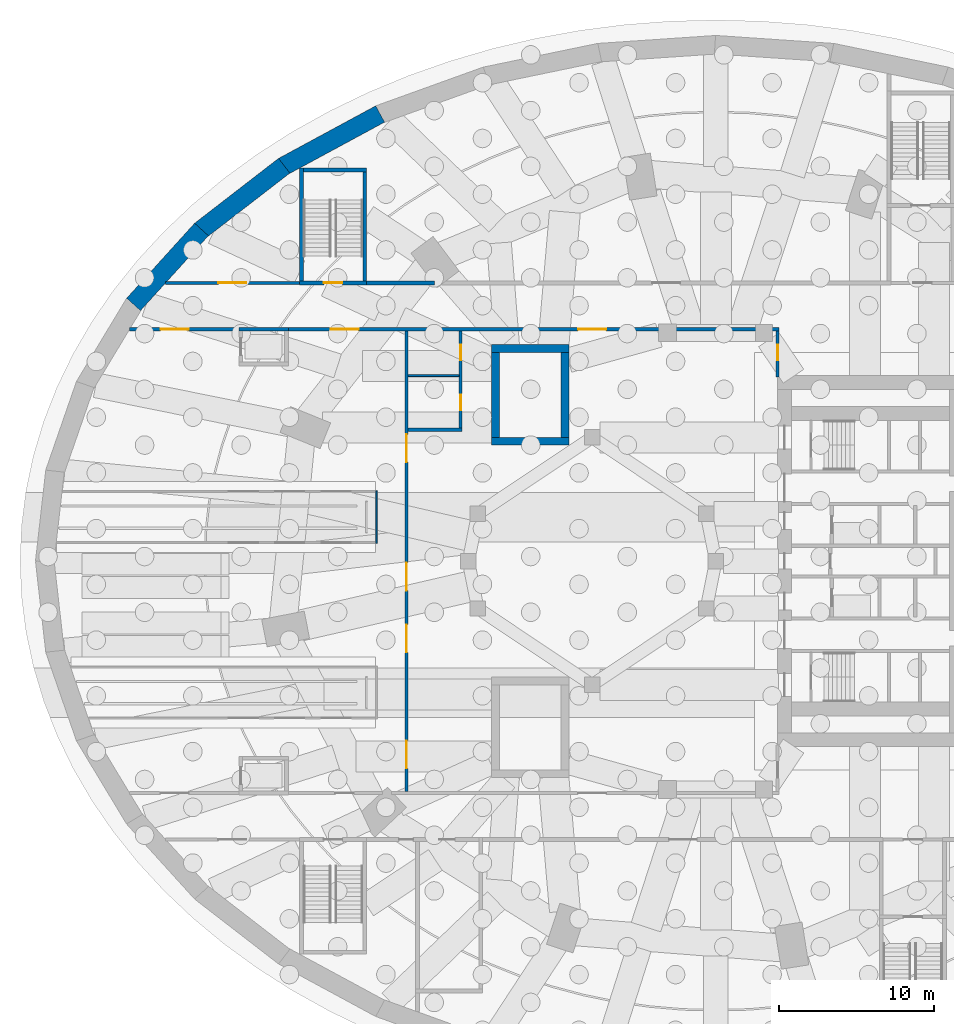
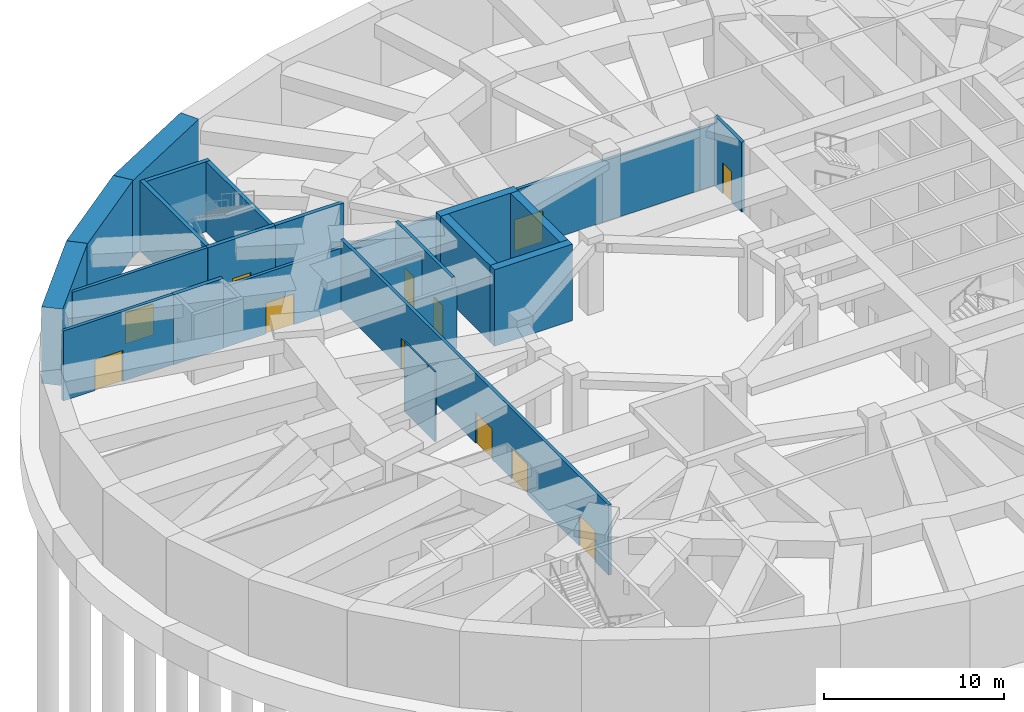
# One storey, part 9 of 18: 22 walls, 12 doors, 12 openings.
"""IFC4 building model written with IfcOpenShell, lengths in metres."""

from ifc_helpers import new_model, si_unit, direction, frame, frame_2d, origin, place, context, subcontext, project, spatial, rectangle, extrude, material, layer, layer_set, type_object, element, fill, save


model = new_model("IFC4")

# Units and contexts
model_context = context("Model", 3, precision=1e-05, world=origin(), true_north=direction((0.0, 1.0)))
body_context = subcontext(model_context, "Body", "Model", "MODEL_VIEW")
ifc_project = project(units=[si_unit("LENGTHUNIT", "METRE"), si_unit("AREAUNIT", "SQUARE_METRE"), si_unit("VOLUMEUNIT", "CUBIC_METRE"), si_unit("PLANEANGLEUNIT", "RADIAN"), si_unit("MASSUNIT", "GRAM", prefix="KILO")], contexts=[model_context])

# Site, building, storey
site_placement = place(None, origin())
site = spatial("IfcSite", under=ifc_project, at=site_placement, CompositionType="ELEMENT")
building_placement = place(site_placement, origin())
building = spatial("IfcBuilding", under=site, at=building_placement, Name="Taillehof Tower", CompositionType="ELEMENT")
storey_placement = place(building_placement, frame((0.0, 0.0, -10.39990234375)))
storey = spatial("IfcBuildingStorey", under=building, at=storey_placement, Name="B2", CompositionType="ELEMENT", Elevation=-10.39990234375)

# Wall
ifc_material_1 = material(Name="Calcium silicate blockwork", Category="masonry")
ifc_layer_1 = layer(ifc_material_1, 0.199951171875)
ifc_layer_set_1 = layer_set([ifc_layer_1], Name="Compartment wall EI 60 200 mm")
wall_type_1 = type_object("IfcWallType", Name="Compartment wall EI 60 200 mm", PredefinedType="PARTITIONING", material=ifc_layer_set_1)
wall_1_placement = place(storey_placement, frame((-19.89990234375, 8.5, 0.0), z_axis=(0.0, 0.0, 1.0), x_axis=(1.0, 0.0, 0.0)))
element("IfcWall", 1, at=wall_1_placement, inside=storey, type_object=wall_type_1, Name="Wall B2-10 / B2-12", PredefinedType="PARTITIONING", context=body_context, shape_type="SweptSolid", body=[
    extrude(rectangle(XDim=3.5, YDim=0.199951171875, at=frame_2d((1.75, 0.0))), origin(), (0.0, 0.0, 1.0), 4.199951171875),
])

# Wall, opening, door
wall_2_placement = place(storey_placement, frame((-37.914794921875, 15.0, 0.0), z_axis=(0.0, 0.0, 1.0), x_axis=(1.0, 0.0, 0.0)))
wall_2 = element("IfcWall", 2, at=wall_2_placement, inside=storey, type_object=wall_type_1, Name="Wall B2-11 / B2-13", PredefinedType="PARTITIONING", context=body_context, shape_type="SweptSolid", body=[
    extrude(rectangle(XDim=7.064697265625, YDim=0.199951171875, at=frame_2d((3.5322265625, 0.0))), origin(), (0.0, 0.0, 1.0), 4.75),
])
opening_1_placement = place(wall_2_placement, frame((2.0146484375, 0.0, 0.0)))
opening_1 = element("IfcOpeningElement", 3, at=opening_1_placement, cuts=wall_2, Name="Opening DB267", PredefinedType="OPENING", context=body_context, shape_type="SweptSolid", body=[
    extrude(rectangle(XDim=1.800048828125, YDim=2.10009765625, at=frame_2d((0.89990234375, 1.050048828125))), frame((0.0, 0.10986328125, 0.0), z_axis=(0.0, -1.0, 0.0), x_axis=(1.0, 0.0, 0.0)), (0.0, 0.0, 1.0), 0.219970703125),
])
ifc_material_2 = material(Name="Hollow metal door set")
door_type_1 = type_object("IfcDoorType", Name="Double door 1800 x 2100 FD60S", OperationType="DOUBLE_DOOR_SINGLE_SWING", PredefinedType="DOOR", material=ifc_material_2)
door_1_placement = place(opening_1_placement, origin())
door_1 = element("IfcDoor", 4, at=door_1_placement, inside=storey, type_object=door_type_1, Name="Door DB267", OperationType="DOUBLE_DOOR_SINGLE_SWING", OverallHeight=2.10009765625, OverallWidth=1.800048828125, PredefinedType="DOOR", context=body_context, shape_type="SweptSolid", body=[
    extrude(rectangle(XDim=1.800048828125, YDim=2.10009765625, at=frame_2d((0.89990234375, 1.050048828125))), frame((0.0, 0.02490234375, 0.0), z_axis=(0.0, -1.0, 0.0), x_axis=(1.0, 0.0, 0.0)), (0.0, 0.0, 1.0), 0.050048828125),
])
fill(opening_1, door_1)

# Wall, openings, doors
wall_3_placement = place(storey_placement, frame((-27.64990234375, 15.0, 0.0), z_axis=(0.0, 0.0, 1.0), x_axis=(1.0, 0.0, 0.0)))
wall_3 = element("IfcWall", 5, at=wall_3_placement, inside=storey, type_object=wall_type_1, Name="Wall B2-11 / B2-13", PredefinedType="PARTITIONING", context=body_context, shape_type="SweptSolid", body=[
    extrude(rectangle(XDim=31.75, YDim=0.199951171875, at=frame_2d((15.875, 0.0))), origin(), (0.0, 0.0, 1.0), 4.14990234375),
])
opening_2_placement = place(wall_3_placement, frame((2.75, 0.0, 0.0)))
opening_2 = element("IfcOpeningElement", 6, at=opening_2_placement, cuts=wall_3, Name="Opening DB268", PredefinedType="OPENING", context=body_context, shape_type="SweptSolid", body=[
    extrude(rectangle(XDim=1.800048828125, YDim=2.10009765625, at=frame_2d((0.89990234375, 1.050048828125))), frame((0.0, 0.10986328125, 0.0), z_axis=(0.0, -1.0, 0.0), x_axis=(1.0, 0.0, 0.0)), (0.0, 0.0, 1.0), 0.219970703125),
])
opening_3_placement = place(wall_3_placement, frame((18.75, 0.0, 0.0)))
opening_3 = element("IfcOpeningElement", 7, at=opening_3_placement, cuts=wall_3, Name="Opening DB269", PredefinedType="OPENING", context=body_context, shape_type="SweptSolid", body=[
    extrude(rectangle(XDim=1.800048828125, YDim=2.10009765625, at=frame_2d((0.89990234375, 1.050048828125))), frame((0.0, 0.10986328125, 0.0), z_axis=(0.0, -1.0, 0.0), x_axis=(1.0, 0.0, 0.0)), (0.0, 0.0, 1.0), 0.219970703125),
])
door_2_placement = place(opening_2_placement, origin())
door_2 = element("IfcDoor", 8, at=door_2_placement, inside=storey, type_object=door_type_1, Name="Door DB268", OperationType="DOUBLE_DOOR_SINGLE_SWING", OverallHeight=2.10009765625, OverallWidth=1.800048828125, PredefinedType="DOOR", context=body_context, shape_type="SweptSolid", body=[
    extrude(rectangle(XDim=1.800048828125, YDim=2.10009765625, at=frame_2d((0.89990234375, 1.050048828125))), frame((0.0, 0.02490234375, 0.0), z_axis=(0.0, -1.0, 0.0), x_axis=(1.0, 0.0, 0.0)), (0.0, 0.0, 1.0), 0.050048828125),
])
fill(opening_2, door_2)
door_3_placement = place(opening_3_placement, origin())
door_3 = element("IfcDoor", 9, at=door_3_placement, inside=storey, type_object=door_type_1, Name="Door DB269", OperationType="DOUBLE_DOOR_SINGLE_SWING", OverallHeight=2.10009765625, OverallWidth=1.800048828125, PredefinedType="DOOR", context=body_context, shape_type="SweptSolid", body=[
    extrude(rectangle(XDim=1.800048828125, YDim=2.10009765625, at=frame_2d((0.89990234375, 1.050048828125))), frame((0.0, 0.02490234375, 0.0), z_axis=(0.0, -1.0, 0.0), x_axis=(1.0, 0.0, 0.0)), (0.0, 0.0, 1.0), 0.050048828125),
])
fill(opening_3, door_3)

# Wall, opening, door
wall_4_placement = place(storey_placement, frame((-35.60546875, 18.0, 0.0), z_axis=(0.0, 0.0, 1.0), x_axis=(1.0, 0.0, 0.0)))
wall_4 = element("IfcWall", 10, at=wall_4_placement, inside=storey, type_object=wall_type_1, Name="Wall B2-13 / B2-15", PredefinedType="PARTITIONING", context=body_context, shape_type="SweptSolid", body=[
    extrude(rectangle(XDim=8.680419921875, YDim=0.199951171875, at=frame_2d((4.34033203125, 0.0))), origin(), (0.0, 0.0, 1.0), 4.75),
])
opening_4_placement = place(wall_4_placement, frame((3.4404296875, 0.0, 0.0)))
opening_4 = element("IfcOpeningElement", 11, at=opening_4_placement, cuts=wall_4, Name="Opening DB270", PredefinedType="OPENING", context=body_context, shape_type="SweptSolid", body=[
    extrude(rectangle(XDim=1.800048828125, YDim=2.10009765625, at=frame_2d((0.89990234375, 1.050048828125))), frame((0.0, 0.10986328125, 0.0), z_axis=(0.0, -1.0, 0.0), x_axis=(1.0, 0.0, 0.0)), (0.0, 0.0, 1.0), 0.219970703125),
])
door_4_placement = place(opening_4_placement, origin())
door_4 = element("IfcDoor", 12, at=door_4_placement, inside=storey, type_object=door_type_1, Name="Door DB270", OperationType="DOUBLE_DOOR_SINGLE_SWING", OverallHeight=2.10009765625, OverallWidth=1.800048828125, PredefinedType="DOOR", context=body_context, shape_type="SweptSolid", body=[
    extrude(rectangle(XDim=1.800048828125, YDim=2.10009765625, at=frame_2d((0.89990234375, 1.050048828125))), frame((0.0, 0.02490234375, 0.0), z_axis=(0.0, -1.0, 0.0), x_axis=(1.0, 0.0, 0.0)), (0.0, 0.0, 1.0), 0.050048828125),
])
fill(opening_4, door_4)

# Wall, openings, doors
wall_5_placement = place(storey_placement, frame((-20.0, -14.89990234375, 0.0), z_axis=(0.0, 0.0, 1.0), x_axis=(0.0, 1.0, 0.0)))
wall_5 = element("IfcWall", 13, at=wall_5_placement, inside=storey, type_object=wall_type_1, Name="Wall B2-11 / B2-12", PredefinedType="PARTITIONING", context=body_context, shape_type="SweptSolid", body=[
    extrude(rectangle(XDim=29.7998046875, YDim=0.199951171875, at=frame_2d((14.89990234375, 0.0))), origin(), (0.0, 0.0, 1.0), 4.75),
])
opening_5_placement = place(wall_5_placement, frame((1.5, 0.0, 0.0)))
opening_5 = element("IfcOpeningElement", 14, at=opening_5_placement, cuts=wall_5, Name="Opening DB257", PredefinedType="OPENING", context=body_context, shape_type="SweptSolid", body=[
    extrude(rectangle(XDim=1.800048828125, YDim=2.10009765625, at=frame_2d((0.89990234375, 1.050048828125))), frame((0.0, 0.10986328125, 0.0), z_axis=(0.0, -1.0, 0.0), x_axis=(1.0, 0.0, 0.0)), (0.0, 0.0, 1.0), 0.219970703125),
])
opening_6_placement = place(wall_5_placement, frame((9.0, 0.0, 0.0)))
opening_6 = element("IfcOpeningElement", 15, at=opening_6_placement, cuts=wall_5, Name="Opening DB259", PredefinedType="OPENING", context=body_context, shape_type="SweptSolid", body=[
    extrude(rectangle(XDim=1.800048828125, YDim=2.10009765625, at=frame_2d((0.89990234375, 1.050048828125))), frame((0.0, 0.10986328125, 0.0), z_axis=(0.0, -1.0, 0.0), x_axis=(1.0, 0.0, 0.0)), (0.0, 0.0, 1.0), 0.219970703125),
])
opening_7_placement = place(wall_5_placement, frame((13.0, 0.0, 0.0)))
opening_7 = element("IfcOpeningElement", 16, at=opening_7_placement, cuts=wall_5, Name="Opening DB260", PredefinedType="OPENING", context=body_context, shape_type="SweptSolid", body=[
    extrude(rectangle(XDim=1.800048828125, YDim=2.10009765625, at=frame_2d((0.89990234375, 1.050048828125))), frame((0.0, 0.10986328125, 0.0), z_axis=(0.0, -1.0, 0.0), x_axis=(1.0, 0.0, 0.0)), (0.0, 0.0, 1.0), 0.219970703125),
])
opening_8_placement = place(wall_5_placement, frame((21.300048828125, 0.0, 0.0)))
opening_8 = element("IfcOpeningElement", 17, at=opening_8_placement, cuts=wall_5, Name="Opening DB261", PredefinedType="OPENING", context=body_context, shape_type="SweptSolid", body=[
    extrude(rectangle(XDim=1.800048828125, YDim=2.10009765625, at=frame_2d((0.89990234375, 1.050048828125))), frame((0.0, 0.10986328125, 0.0), z_axis=(0.0, -1.0, 0.0), x_axis=(1.0, 0.0, 0.0)), (0.0, 0.0, 1.0), 0.219970703125),
])
door_5_placement = place(opening_5_placement, origin())
door_5 = element("IfcDoor", 18, at=door_5_placement, inside=storey, type_object=door_type_1, Name="Door DB257", OperationType="DOUBLE_DOOR_SINGLE_SWING", OverallHeight=2.10009765625, OverallWidth=1.800048828125, PredefinedType="DOOR", context=body_context, shape_type="SweptSolid", body=[
    extrude(rectangle(XDim=1.800048828125, YDim=2.10009765625, at=frame_2d((0.89990234375, 1.050048828125))), frame((0.0, 0.02490234375, 0.0), z_axis=(0.0, -1.0, 0.0), x_axis=(1.0, 0.0, 0.0)), (0.0, 0.0, 1.0), 0.050048828125),
])
fill(opening_5, door_5)
door_6_placement = place(opening_6_placement, origin())
door_6 = element("IfcDoor", 19, at=door_6_placement, inside=storey, type_object=door_type_1, Name="Door DB259", OperationType="DOUBLE_DOOR_SINGLE_SWING", OverallHeight=2.10009765625, OverallWidth=1.800048828125, PredefinedType="DOOR", context=body_context, shape_type="SweptSolid", body=[
    extrude(rectangle(XDim=1.800048828125, YDim=2.10009765625, at=frame_2d((0.89990234375, 1.050048828125))), frame((0.0, 0.02490234375, 0.0), z_axis=(0.0, -1.0, 0.0), x_axis=(1.0, 0.0, 0.0)), (0.0, 0.0, 1.0), 0.050048828125),
])
fill(opening_6, door_6)
door_7_placement = place(opening_7_placement, origin())
door_7 = element("IfcDoor", 20, at=door_7_placement, inside=storey, type_object=door_type_1, Name="Door DB260", OperationType="DOUBLE_DOOR_SINGLE_SWING", OverallHeight=2.10009765625, OverallWidth=1.800048828125, PredefinedType="DOOR", context=body_context, shape_type="SweptSolid", body=[
    extrude(rectangle(XDim=1.800048828125, YDim=2.10009765625, at=frame_2d((0.89990234375, 1.050048828125))), frame((0.0, 0.02490234375, 0.0), z_axis=(0.0, -1.0, 0.0), x_axis=(1.0, 0.0, 0.0)), (0.0, 0.0, 1.0), 0.050048828125),
])
fill(opening_7, door_7)
door_8_placement = place(opening_8_placement, origin())
door_8 = element("IfcDoor", 21, at=door_8_placement, inside=storey, type_object=door_type_1, Name="Door DB261", OperationType="DOUBLE_DOOR_SINGLE_SWING", OverallHeight=2.10009765625, OverallWidth=1.800048828125, PredefinedType="DOOR", context=body_context, shape_type="SweptSolid", body=[
    extrude(rectangle(XDim=1.800048828125, YDim=2.10009765625, at=frame_2d((0.89990234375, 1.050048828125))), frame((0.0, 0.02490234375, 0.0), z_axis=(0.0, -1.0, 0.0), x_axis=(1.0, 0.0, 0.0)), (0.0, 0.0, 1.0), 0.050048828125),
])
fill(opening_8, door_8)

wall_6_placement = place(storey_placement, frame((-16.5, 8.60009765625, 0.0), z_axis=(0.0, 0.0, 1.0), x_axis=(0.0, 1.0, 0.0)))
wall_6 = element("IfcWall", 22, at=wall_6_placement, inside=storey, type_object=wall_type_1, Name="Wall B2-10 / B2-12", PredefinedType="PARTITIONING", context=body_context, shape_type="SweptSolid", body=[
    extrude(rectangle(XDim=6.2998046875, YDim=0.199951171875, at=frame_2d((3.14990234375, 0.0))), origin(), (0.0, 0.0, 1.0), 4.75),
])
opening_9_placement = place(wall_6_placement, frame((4.39990234375, 0.0, 0.0)))
opening_9 = element("IfcOpeningElement", 23, at=opening_9_placement, cuts=wall_6, Name="Opening DB264", PredefinedType="OPENING", context=body_context, shape_type="SweptSolid", body=[
    extrude(rectangle(XDim=1.0, YDim=2.10009765625, at=frame_2d((0.5, 1.050048828125))), frame((0.0, 0.10986328125, 0.0), z_axis=(0.0, -1.0, 0.0), x_axis=(1.0, 0.0, 0.0)), (0.0, 0.0, 1.0), 0.219970703125),
])
opening_10_placement = place(wall_6_placement, frame((1.14990234375, 0.0, 0.0)))
opening_10 = element("IfcOpeningElement", 24, at=opening_10_placement, cuts=wall_6, Name="Opening DB262", PredefinedType="OPENING", context=body_context, shape_type="SweptSolid", body=[
    extrude(rectangle(XDim=1.0, YDim=2.10009765625, at=frame_2d((0.5, 1.050048828125))), frame((0.0, 0.10986328125, 0.0), z_axis=(0.0, -1.0, 0.0), x_axis=(1.0, 0.0, 0.0)), (0.0, 0.0, 1.0), 0.219970703125),
])
ifc_material_3 = material(Name="Hollow metal door set")
door_type_2 = type_object("IfcDoorType", Name="Single door 1000 x 2100 FD60S", OperationType="SINGLE_SWING_LEFT", PredefinedType="DOOR", material=ifc_material_3)
door_9_placement = place(opening_9_placement, origin())
door_9 = element("IfcDoor", 25, at=door_9_placement, inside=storey, type_object=door_type_2, Name="Door DB264", OperationType="SINGLE_SWING_LEFT", OverallHeight=2.10009765625, OverallWidth=1.0, PredefinedType="DOOR", context=body_context, shape_type="SweptSolid", body=[
    extrude(rectangle(XDim=1.0, YDim=2.10009765625, at=frame_2d((0.5, 1.050048828125))), frame((0.0, 0.02490234375, 0.0), z_axis=(0.0, -1.0, 0.0), x_axis=(1.0, 0.0, 0.0)), (0.0, 0.0, 1.0), 0.050048828125),
])
fill(opening_9, door_9)
door_10_placement = place(opening_10_placement, origin())
door_10 = element("IfcDoor", 26, at=door_10_placement, inside=storey, type_object=door_type_2, Name="Door DB262", OperationType="SINGLE_SWING_LEFT", OverallHeight=2.10009765625, OverallWidth=1.0, PredefinedType="DOOR", context=body_context, shape_type="SweptSolid", body=[
    extrude(rectangle(XDim=1.0, YDim=2.10009765625, at=frame_2d((0.5, 1.050048828125))), frame((0.0, 0.02490234375, 0.0), z_axis=(0.0, -1.0, 0.0), x_axis=(1.0, 0.0, 0.0)), (0.0, 0.0, 1.0), 0.050048828125),
])
fill(opening_10, door_10)

# Wall, opening, door
wall_7_placement = place(storey_placement, frame((4.0, 11.89990234375, 0.0), z_axis=(0.0, 0.0, 1.0), x_axis=(0.0, 1.0, 0.0)))
wall_7 = element("IfcWall", 27, at=wall_7_placement, inside=storey, type_object=wall_type_1, Name="Wall B2-12 / B2-13", PredefinedType="PARTITIONING", context=body_context, shape_type="SweptSolid", body=[
    extrude(rectangle(XDim=3.0, YDim=0.199951171875, at=frame_2d((1.5, 0.0))), origin(), (0.0, 0.0, 1.0), 4.75),
])
opening_11_placement = place(wall_7_placement, frame((1.10009765625, 0.0, 0.0)))
opening_11 = element("IfcOpeningElement", 28, at=opening_11_placement, cuts=wall_7, Name="Opening DB265", PredefinedType="OPENING", context=body_context, shape_type="SweptSolid", body=[
    extrude(rectangle(XDim=1.0, YDim=2.10009765625, at=frame_2d((0.5, 1.050048828125))), frame((0.0, 0.10986328125, 0.0), z_axis=(0.0, -1.0, 0.0), x_axis=(1.0, 0.0, 0.0)), (0.0, 0.0, 1.0), 0.219970703125),
])
door_11_placement = place(opening_11_placement, origin())
door_11 = element("IfcDoor", 29, at=door_11_placement, inside=storey, type_object=door_type_2, Name="Door DB265", OperationType="SINGLE_SWING_RIGHT", OverallHeight=2.10009765625, OverallWidth=1.0, PredefinedType="DOOR", context=body_context, shape_type="SweptSolid", body=[
    extrude(rectangle(XDim=1.0, YDim=2.10009765625, at=frame_2d((0.5, 1.050048828125))), frame((0.0, 0.02490234375, 0.0), z_axis=(0.0, -1.0, 0.0), x_axis=(1.0, 0.0, 0.0)), (0.0, 0.0, 1.0), 0.050048828125),
])
fill(opening_11, door_11)

# Walls
ifc_material_4 = material(Name="Concrete C35/45", Category="concrete")
ifc_layer_2 = layer(ifc_material_4, 1.199951171875)
ifc_layer_set_2 = layer_set([ifc_layer_2], Name="Diaphragm wall 1200")
wall_type_2 = type_object("IfcWallType", Name="Diaphragm wall 1200", PredefinedType="USERDEFINED", material=ifc_layer_set_2)
wall_8_placement = place(storey_placement, frame((-21.7080078125, 28.920654296875, 0.0), z_axis=(0.0, 0.0, 1.0), x_axis=(-0.879519330959, -0.475863159394, 0.0)))
element("IfcWall", 30, at=wall_8_placement, inside=storey, type_object=wall_type_2, Name="Diaphragm wall DW13", ObjectType="Retaining wall", PredefinedType="USERDEFINED", context=body_context, shape_type="SweptSolid", body=[
    extrude(rectangle(XDim=7.154541015625, YDim=1.199951171875, at=frame_2d((3.5771484375, 0.0))), origin(), (0.0, 0.0, 1.0), 5.199951171875),
])
wall_9_placement = place(storey_placement, frame((-27.912841796875, 25.572998046875, 0.0), z_axis=(0.0, 0.0, 1.0), x_axis=(-0.791286567459, -0.611445474396, 0.0)))
element("IfcWall", 31, at=wall_9_placement, inside=storey, type_object=wall_type_2, Name="Diaphragm wall DW14", ObjectType="Retaining wall", PredefinedType="USERDEFINED", context=body_context, shape_type="SweptSolid", body=[
    extrude(rectangle(XDim=6.85693359375, YDim=1.199951171875, at=frame_2d((3.428466796875, 0.0))), origin(), (0.0, 0.0, 1.0), 5.199951171875),
])
wall_10_placement = place(storey_placement, frame((-33.26171875, 21.451416015625, 0.0), z_axis=(0.0, 0.0, 1.0), x_axis=(-0.671487423502, -0.741015951299, 0.0)))
element("IfcWall", 32, at=wall_10_placement, inside=storey, type_object=wall_type_2, Name="Diaphragm wall DW15", ObjectType="Retaining wall", PredefinedType="USERDEFINED", context=body_context, shape_type="SweptSolid", body=[
    extrude(rectangle(XDim=6.545166015625, YDim=1.199951171875, at=frame_2d((3.2724609375, 0.0))), origin(), (0.0, 0.0, 1.0), 5.199951171875),
])
ifc_material_5 = material(Name="Calcium silicate blockwork", Category="masonry")
ifc_layer_3 = layer(ifc_material_5, 0.25)
ifc_layer_set_3 = layer_set([ifc_layer_3], Name="Fire-resisting wall EI 120 250 mm")
wall_type_3 = type_object("IfcWallType", Name="Fire-resisting wall EI 120 250 mm", PredefinedType="PARTITIONING", material=ifc_layer_set_3)
wall_11_placement = place(storey_placement, frame((-22.574951171875, 18.0, 0.0), z_axis=(0.0, 0.0, 1.0), x_axis=(1.0, 0.0, 0.0)))
element("IfcWall", 33, at=wall_11_placement, inside=storey, type_object=wall_type_3, Name="Wall B2-13 / B2-16", PredefinedType="PARTITIONING", context=body_context, shape_type="SweptSolid", body=[
    extrude(rectangle(XDim=4.396484375, YDim=0.25, at=frame_2d((2.1982421875, 0.0))), origin(), (0.0, 0.0, 1.0), 4.75),
])
ifc_material_6 = material(Name="Gypsum board partition on steel studs", Category="steel")
ifc_layer_4 = layer(ifc_material_6, 0.125)
ifc_layer_set_4 = layer_set([ifc_layer_4], Name="Partition wall EI 30 125 mm")
wall_type_4 = type_object("IfcWallType", Name="Partition wall EI 30 125 mm", PredefinedType="PARTITIONING", material=ifc_layer_set_4)
wall_12_placement = place(storey_placement, frame((-19.89990234375, 12.0, 0.0), z_axis=(0.0, 0.0, 1.0), x_axis=(1.0, 0.0, 0.0)))
element("IfcWall", 34, at=wall_12_placement, inside=storey, type_object=wall_type_4, Name="Wall B2-09 / B2-10", PredefinedType="PARTITIONING", context=body_context, shape_type="SweptSolid", body=[
    extrude(rectangle(XDim=3.2998046875, YDim=0.125, at=frame_2d((1.64990234375, 0.0))), origin(), (0.0, 0.0, 1.0), 4.199951171875),
])
ifc_material_7 = material(Name="Laminated glass in steel frame", Category="steel")
ifc_layer_5 = layer(ifc_material_7, 0.10009765625)
ifc_layer_set_5 = layer_set([ifc_layer_5], Name="Platform screen wall 100")
wall_type_5 = type_object("IfcWallType", Name="Platform screen wall 100", PredefinedType="PARTITIONING", material=ifc_layer_set_5)
wall_13_placement = place(storey_placement, frame((-21.949951171875, 1.14990234375, 0.0), z_axis=(0.0, 0.0, 1.0), x_axis=(0.0, 1.0, 0.0)))
element("IfcWall", 35, at=wall_13_placement, inside=storey, type_object=wall_type_5, Name="North platform screen end", PredefinedType="PARTITIONING", context=body_context, shape_type="SweptSolid", body=[
    extrude(rectangle(XDim=3.400146484375, YDim=0.10009765625, at=frame_2d((1.7001953125, 0.0))), origin(), (0.0, 0.0, 1.0), 4.75),
])
ifc_material_8 = material(Name="Calcium silicate blockwork", Category="masonry")
ifc_layer_6 = layer(ifc_material_8, 0.25)
ifc_layer_set_6 = layer_set([ifc_layer_6], Name="Shaft wall EI 120 250 mm")
wall_type_6 = type_object("IfcWallType", Name="Shaft wall EI 120 250 mm", PredefinedType="SHEAR", material=ifc_layer_set_6)
wall_14_placement = place(storey_placement, frame((-30.85009765625, 15.0, 0.0), z_axis=(0.0, 0.0, 1.0), x_axis=(1.0, 0.0, 0.0)))
element("IfcWall", 36, at=wall_14_placement, inside=storey, type_object=wall_type_6, Name="Wall B2-07 / B2-13", PredefinedType="SHEAR", context=body_context, shape_type="SweptSolid", body=[
    extrude(rectangle(XDim=3.2001953125, YDim=0.25, at=frame_2d((1.60009765625, 0.0))), origin(), (0.0, 0.0, 1.0), 4.75),
])
ifc_material_9 = material(Name="Concrete C60/75", Category="concrete")
ifc_layer_7 = layer(ifc_material_9, 0.5)
ifc_layer_set_7 = layer_set([ifc_layer_7], Name="Stair enclosure base wall 500")
wall_type_7 = type_object("IfcWallType", Name="Stair enclosure base wall 500", PredefinedType="SHEAR", material=ifc_layer_set_7)
wall_15_placement = place(storey_placement, frame((-14.5, 7.75, 0.0), z_axis=(0.0, 0.0, 1.0), x_axis=(1.0, 0.0, 0.0)))
element("IfcWall", 37, at=wall_15_placement, inside=storey, type_object=wall_type_7, Name="Enclosure base wall S3-1", PredefinedType="SHEAR", context=body_context, shape_type="SweptSolid", body=[
    extrude(rectangle(XDim=5.0, YDim=0.5, at=frame_2d((2.5, 0.0))), origin(), (0.0, 0.0, 1.0), 5.199951171875),
])
wall_16_placement = place(storey_placement, frame((-9.75, 7.5, 0.0), z_axis=(0.0, 0.0, 1.0), x_axis=(0.0, 1.0, 0.0)))
element("IfcWall", 38, at=wall_16_placement, inside=storey, type_object=wall_type_7, Name="Enclosure base wall S3-2", PredefinedType="SHEAR", context=body_context, shape_type="SweptSolid", body=[
    extrude(rectangle(XDim=6.5, YDim=0.5, at=frame_2d((3.25, 0.0))), origin(), (0.0, 0.0, 1.0), 5.199951171875),
])
wall_17_placement = place(storey_placement, frame((-9.5, 13.75, 0.0), z_axis=(0.0, 0.0, 1.0), x_axis=(-1.0, 0.0, 0.0)))
element("IfcWall", 39, at=wall_17_placement, inside=storey, type_object=wall_type_7, Name="Enclosure base wall S3-3", PredefinedType="SHEAR", context=body_context, shape_type="SweptSolid", body=[
    extrude(rectangle(XDim=5.0, YDim=0.5, at=frame_2d((2.5, 0.0))), origin(), (0.0, 0.0, 1.0), 5.199951171875),
])
wall_18_placement = place(storey_placement, frame((-14.25, 14.0, 0.0), z_axis=(0.0, 0.0, 1.0), x_axis=(0.0, -1.0, 0.0)))
element("IfcWall", 40, at=wall_18_placement, inside=storey, type_object=wall_type_7, Name="Enclosure base wall S3-4", PredefinedType="SHEAR", context=body_context, shape_type="SweptSolid", body=[
    extrude(rectangle(XDim=6.5, YDim=0.5, at=frame_2d((3.25, 0.0))), origin(), (0.0, 0.0, 1.0), 5.199951171875),
])

# Wall, opening, door
ifc_material_10 = material(Name="Concrete C40/50", Category="concrete")
ifc_layer_8 = layer(ifc_material_10, 0.25)
ifc_layer_set_8 = layer_set([ifc_layer_8], Name="Stair wall EI 120 250 mm")
wall_type_8 = type_object("IfcWallType", Name="Stair wall EI 120 250 mm", PredefinedType="SOLIDWALL", material=ifc_layer_set_8)
wall_19_placement = place(storey_placement, frame((-26.925048828125, 18.0, 0.0), z_axis=(0.0, 0.0, 1.0), x_axis=(1.0, 0.0, 0.0)))
wall_19 = element("IfcWall", 41, at=wall_19_placement, inside=storey, type_object=wall_type_8, Name="Wall B2-01 / B2-13", PredefinedType="SOLIDWALL", context=body_context, shape_type="SweptSolid", body=[
    extrude(rectangle(XDim=4.35009765625, YDim=0.25, at=frame_2d((2.175048828125, 0.0))), origin(), (0.0, 0.0, 1.0), 4.75),
])
opening_12_placement = place(wall_19_placement, frame((1.574951171875, 0.0, 0.0)))
opening_12 = element("IfcOpeningElement", 42, at=opening_12_placement, cuts=wall_19, Name="Opening DB271", PredefinedType="OPENING", context=body_context, shape_type="SweptSolid", body=[
    extrude(rectangle(XDim=1.199951171875, YDim=2.10009765625, at=frame_2d((0.60009765625, 1.050048828125))), frame((0.0, 0.135009765625, 0.0), z_axis=(0.0, -1.0, 0.0), x_axis=(1.0, 0.0, 0.0)), (0.0, 0.0, 1.0), 0.27001953125),
])
ifc_material_11 = material(Name="Hollow metal door set")
door_type_3 = type_object("IfcDoorType", Name="Single door 1200 x 2100 FD120S", OperationType="SINGLE_SWING_LEFT", PredefinedType="DOOR", material=ifc_material_11)
door_12_placement = place(opening_12_placement, origin())
door_12 = element("IfcDoor", 43, at=door_12_placement, inside=storey, type_object=door_type_3, Name="Door DB271", OperationType="SINGLE_SWING_RIGHT", OverallHeight=2.10009765625, OverallWidth=1.199951171875, PredefinedType="DOOR", context=body_context, shape_type="SweptSolid", body=[
    extrude(rectangle(XDim=1.199951171875, YDim=2.10009765625, at=frame_2d((0.60009765625, 1.050048828125))), frame((0.0, 0.02490234375, 0.0), z_axis=(0.0, -1.0, 0.0), x_axis=(1.0, 0.0, 0.0)), (0.0, 0.0, 1.0), 0.050048828125),
])
fill(opening_12, door_12)

# Walls
wall_20_placement = place(storey_placement, frame((-26.675048828125, 25.2900390625, 0.0), z_axis=(0.0, 0.0, 1.0), x_axis=(1.0, 0.0, 0.0)))
element("IfcWall", 44, at=wall_20_placement, inside=storey, type_object=wall_type_8, Name="Wall B2-01 / B2-16", PredefinedType="SOLIDWALL", context=body_context, shape_type="SweptSolid", body=[
    extrude(rectangle(XDim=4.10009765625, YDim=0.25, at=frame_2d((2.050048828125, 0.0))), origin(), (0.0, 0.0, 1.0), 4.75),
])
wall_21_placement = place(storey_placement, frame((-26.800048828125, 18.125, 0.0), z_axis=(0.0, 0.0, 1.0), x_axis=(0.0, 1.0, 0.0)))
element("IfcWall", 45, at=wall_21_placement, inside=storey, type_object=wall_type_8, Name="Wall B2-01 / B2-15", PredefinedType="SOLIDWALL", context=body_context, shape_type="SweptSolid", body=[
    extrude(rectangle(XDim=7.2900390625, YDim=0.25, at=frame_2d((3.64501953125, 0.0))), origin(), (0.0, 0.0, 1.0), 4.75),
])
wall_22_placement = place(storey_placement, frame((-22.699951171875, 18.125, 0.0), z_axis=(0.0, 0.0, 1.0), x_axis=(0.0, 1.0, 0.0)))
element("IfcWall", 46, at=wall_22_placement, inside=storey, type_object=wall_type_8, Name="Wall B2-01 / B2-16", PredefinedType="SOLIDWALL", context=body_context, shape_type="SweptSolid", body=[
    extrude(rectangle(XDim=7.0400390625, YDim=0.25, at=frame_2d((3.52001953125, 0.0))), origin(), (0.0, 0.0, 1.0), 4.75),
])

save(model, "model.ifc")
